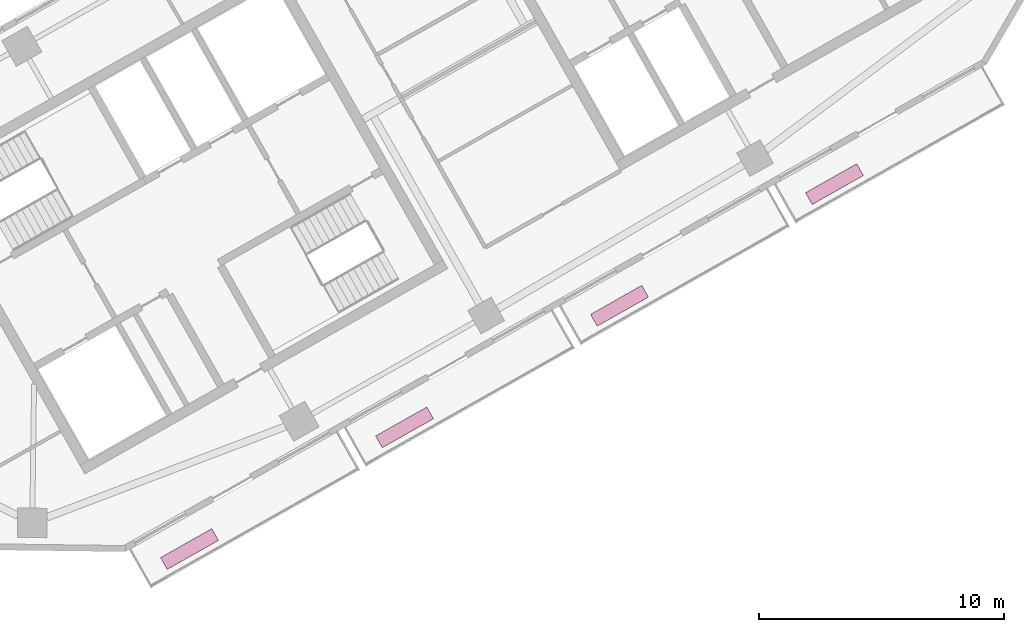
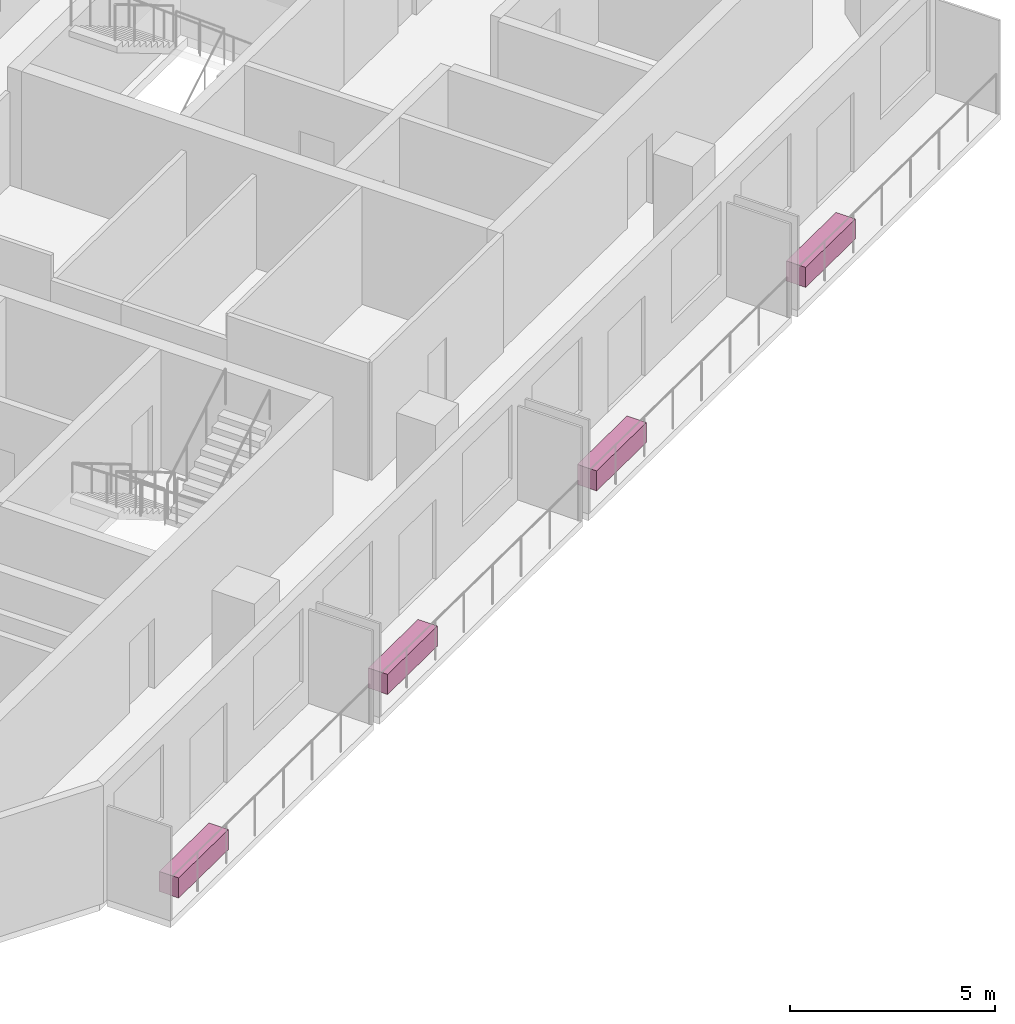
# One storey, part 7 of 7: 4 furnishings.
"""IFC4 building model written with IfcOpenShell, lengths in metres."""

import ifcopenshell
import ifcopenshell.guid

model = None  # the IFC model being written
_history = None  # IfcOwnerHistory: only IFC2X3 demands one
_inside = {}  # id of a spatial element -> (the spatial element, [elements in it])
_under = {}  # id of a project, library or spatial element -> (it, [spatial elements below it])
_declared = {}  # id of a project -> (the project, [libraries it declares])
_typed = {}  # id of a type object -> (the type object, [elements of that type])
_made_of = {}  # id of a material, layer set ... -> (it, [elements and type objects made of it])


def new_model(schema):
    """Start an empty IFC model of exactly this schema.

    Asked for "IFC4X3", IfcOpenShell would pick the latest addendum, in which some entities
    have other attributes; the version numbers below select the first issue.
    IFC2X3 requires an IfcOwnerHistory on every rooted entity: one is made here for all.
    """
    global model, _history
    if schema == "IFC4X3":
        model = ifcopenshell.file(schema_version=(4, 3, 0, 0))
    else:
        model = ifcopenshell.file(schema=schema)
    _inside.clear()
    _under.clear()
    _declared.clear()
    _typed.clear()
    _made_of.clear()
    _history = None
    if model.schema == "IFC2X3":
        org = make("IfcOrganization", Name="unknown")
        user = make(
            "IfcPersonAndOrganization",
            ThePerson=make("IfcPerson", FamilyName="unknown"),
            TheOrganization=org,
        )
        app = make(
            "IfcApplication",
            ApplicationDeveloper=org,
            Version="unknown",
            ApplicationFullName="unknown",
            ApplicationIdentifier="unknown",
        )
        _history = make(
            "IfcOwnerHistory",
            OwningUser=user,
            OwningApplication=app,
            ChangeAction="ADDED",
            CreationDate=0,
        )
    return model


def make(cls, **values):
    """One entity of the class cls with the attributes given. An attribute that is None is left unset."""
    return model.create_entity(
        cls, **{name: value for name, value in values.items() if value is not None}
    )


def rooted(cls, **values):
    """An entity with a GlobalId (a new one), such as an element, a storey or a relation."""
    return make(cls, GlobalId=ifcopenshell.guid.new(), OwnerHistory=_history, **values)


def si_unit(unit_type, name, prefix=None):
    """IfcSIUnit, for example si_unit("LENGTHUNIT", "METRE", prefix="MILLI")."""
    return make("IfcSIUnit", UnitType=unit_type, Prefix=prefix, Name=name)


def assignment(units):
    """IfcUnitAssignment: the units of a project."""
    return None if units is None else make("IfcUnitAssignment", Units=units)


def point(xyz):
    """IfcCartesianPoint."""
    return None if xyz is None else make("IfcCartesianPoint", Coordinates=xyz)


def direction(xyz):
    """IfcDirection."""
    return None if xyz is None else make("IfcDirection", DirectionRatios=xyz)


def frame(location, z_axis=None, x_axis=None):
    """IfcAxis2Placement3D, a coordinate frame: its origin and axes. An axis left out is left unset."""
    return make(
        "IfcAxis2Placement3D",
        Location=point(location),
        Axis=direction(z_axis),
        RefDirection=direction(x_axis),
    )


def frame_2d(location, x_axis=None):
    """IfcAxis2Placement2D, a coordinate frame in the plane: its origin and x axis."""
    return make(
        "IfcAxis2Placement2D", Location=point(location), RefDirection=direction(x_axis)
    )


def origin():
    """The frame at (0, 0, 0) with its axes left unset."""
    return frame((0.0, 0.0, 0.0))


def origin_2d():
    """The frame at (0, 0) in the plane with its x axis left unset."""
    return frame_2d((0.0, 0.0))


def place(relative_to, where):
    """IfcLocalPlacement: puts the frame where relative to a parent placement (None: the world)."""
    return make(
        "IfcLocalPlacement", PlacementRelTo=relative_to, RelativePlacement=where
    )


def context(
    kind, dimensions, precision=None, world=None, true_north=None, identifier=None
):
    """IfcGeometricRepresentationContext, for example the 3D "Model" context."""
    return make(
        "IfcGeometricRepresentationContext",
        ContextIdentifier=identifier,
        ContextType=kind,
        CoordinateSpaceDimension=dimensions,
        Precision=precision,
        WorldCoordinateSystem=world,
        TrueNorth=true_north,
    )


def subcontext(parent, identifier, kind, view, scale=None):
    """IfcGeometricRepresentationSubContext, for example "Body" below "Model"."""
    return make(
        "IfcGeometricRepresentationSubContext",
        ContextIdentifier=identifier,
        ContextType=kind,
        ParentContext=parent,
        TargetScale=scale,
        TargetView=view,
    )


def project(units=None, contexts=None):
    """IfcProject with its units and contexts."""
    return rooted(
        "IfcProject",
        Name="project",
        RepresentationContexts=contexts,
        UnitsInContext=assignment(units),
    )


def spatial(cls, under=None, at=None, **own):
    """A site, building, storey or space (cls), placed at a placement, below another one or the project."""
    s = rooted(cls, ObjectPlacement=at, **own)
    if under is not None:
        _under.setdefault(under.id(), (under, []))[1].append(s)
    return s


def profile(cls, at=None, kind="AREA", **sizes):
    """A parametric profile (cls). Its sizes go by their IFC names, for example OverallWidth=200.0."""
    return make(cls, ProfileType=kind, Position=at, **sizes)


def rectangle(**sizes):
    """IfcRectangleProfileDef."""
    return profile("IfcRectangleProfileDef", **sizes)


def extrude(swept, where, along, depth):
    """IfcExtrudedAreaSolid: the profile swept, set in the frame where, extruded along a direction by depth."""
    return make(
        "IfcExtrudedAreaSolid",
        SweptArea=swept,
        Position=where,
        ExtrudedDirection=direction(along),
        Depth=depth,
    )


def shape(context_of_items, identifier, shape_type, items):
    """IfcShapeRepresentation: the items that make up one representation, for example the "Body"."""
    return make(
        "IfcShapeRepresentation",
        ContextOfItems=context_of_items,
        RepresentationIdentifier=identifier,
        RepresentationType=shape_type,
        Items=items,
    )


def material(Name=None, Category=None):
    """IfcMaterial."""
    return make("IfcMaterial", Name=Name, Category=Category)


def made_of(thing, what):
    """Note that an element or type object is made of a material, layer set ...; save() writes the relation."""
    if what is not None:
        _made_of.setdefault(what.id(), (what, []))[1].append(thing)
    return thing


def type_object(cls, material=None, **own):
    """A type object (cls), such as IfcWallType, which elements share."""
    return made_of(rooted(cls, **own), material)


def element(
    cls,
    number,
    at=None,
    inside=None,
    cuts=None,
    type_object=None,
    material=None,
    context=None,
    identifier="Body",
    shape_type=None,
    held_by="IfcProductDefinitionShape",
    body=None,
    shapes=None,
    **own,
):
    """One element of the class cls, such as IfcWall. Its Tag is "e" and its number.

    at: its placement. inside: the storey or other place that contains it. cuts: it is an
    opening in that element (IfcRelVoidsElement). A single representation is given by context,
    identifier, shape_type and body (its items); several are given by shapes. held_by: the class
    of the entity that holds the representations. save() writes the other relations.
    """
    e = rooted(cls, Tag="e%d" % number, ObjectPlacement=at, **own)
    if body is not None:
        shapes = [shape(context, identifier, shape_type, body)]
    if shapes is not None:
        e.Representation = make(held_by, Representations=shapes)
    if inside is not None:
        _inside.setdefault(inside.id(), (inside, []))[1].append(e)
    if cuts is not None:
        rooted(
            "IfcRelVoidsElement", RelatingBuildingElement=cuts, RelatedOpeningElement=e
        )
    if type_object is not None:
        _typed.setdefault(type_object.id(), (type_object, []))[1].append(e)
    return made_of(e, material)


def aggregate(whole, parts):
    """IfcRelAggregates: a whole, such as a stair, and the parts it consists of."""
    return rooted("IfcRelAggregates", RelatingObject=whole, RelatedObjects=parts)


def save(model, path):
    """Write the relations noted so far, then the file.

    IfcRelAggregates (storeys below a building ...), IfcRelContainedInSpatialStructure (elements
    in a storey), IfcRelDefinesByType, IfcRelAssociatesMaterial and IfcRelDeclares: one each for
    every whole, place, type object, material and project.
    """
    for whole, parts in _under.values():
        aggregate(whole, parts)
    for where, things in _inside.values():
        rooted(
            "IfcRelContainedInSpatialStructure",
            RelatedElements=things,
            RelatingStructure=where,
        )
    for kind, things in _typed.values():
        rooted("IfcRelDefinesByType", RelatedObjects=things, RelatingType=kind)
    for what, things in _made_of.values():
        rooted("IfcRelAssociatesMaterial", RelatedObjects=things, RelatingMaterial=what)
    for by, libraries in _declared.values():
        rooted("IfcRelDeclares", RelatingContext=by, RelatedDefinitions=libraries)
    model.write(path)


model = new_model("IFC4")

# Units and contexts
model_context = context("Model", 3, precision=1e-05, world=origin(), true_north=direction((0.0, 1.0)))
body_context = subcontext(model_context, "Body", "Model", "MODEL_VIEW")
ifc_project = project(units=[si_unit("LENGTHUNIT", "METRE"), si_unit("AREAUNIT", "SQUARE_METRE"), si_unit("VOLUMEUNIT", "CUBIC_METRE"), si_unit("PLANEANGLEUNIT", "RADIAN"), si_unit("MASSUNIT", "GRAM", prefix="KILO")], contexts=[model_context])

# Site, building, storey
site_placement = place(None, origin())
site = spatial("IfcSite", under=ifc_project, at=site_placement, CompositionType="ELEMENT")
building_placement = place(site_placement, origin())
building = spatial("IfcBuilding", under=site, at=building_placement, Name="Binnacle Exchange Tower", CompositionType="ELEMENT")
storey_placement = place(building_placement, frame((0.0, 0.0, 274.10009765625)))
storey = spatial("IfcBuildingStorey", under=building, at=storey_placement, Name="L61", CompositionType="ELEMENT", Elevation=274.10009765625)

# Furnishings
ifc_material = material(Name="Concrete C35/45", Category="concrete")
furnishing_element_type = type_object("IfcFurnishingElementType", Name="PLANTER 2400x550x600", material=ifc_material)
for number, where, z_axis, x_axis, name in (
    (1, (-35.44677734375, 26.428466796875, -0.000244140625), (0.0, 0.0, 1.0), (0.87035569594, 0.492423560103, 0.0), "Planter H07-B00a L61"),
    (2, (-26.683837890625, 31.38623046875, -0.000244140625), (0.0, 0.0, 1.0), (0.87035569594, 0.492423560103, 0.0), "Planter H07-B01a L61"),
    (3, (-17.9208984375, 36.34423828125, -0.000244140625), (0.0, 0.0, 1.0), (0.87035569594, 0.492423560103, 0.0), "Planter H07-B02a L61"),
    (4, (-9.158203125, 41.302001953125, -0.000244140625), (0.0, 0.0, 1.0), (0.87035569594, 0.492423560103, 0.0), "Planter H07-B03a L61"),
):
    element("IfcFurnishingElement", number, at=place(storey_placement, frame(where, z_axis=z_axis, x_axis=x_axis)), inside=storey, type_object=furnishing_element_type, Name=name, ObjectType="PLANTER", context=body_context, shape_type="SweptSolid", body=[
        extrude(rectangle(XDim=2.39990234375, YDim=0.550048828125, at=origin_2d()), origin(), (0.0, 0.0, 1.0), 0.60009765625),
    ])

save(model, "model.ifc")
